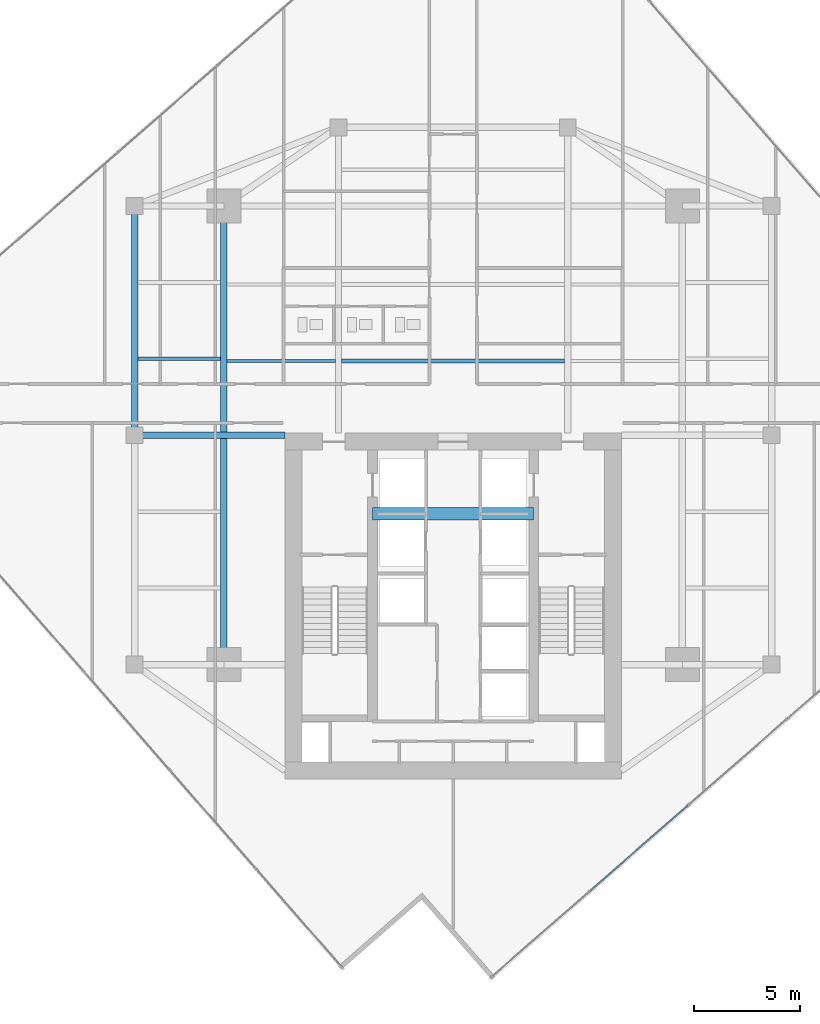
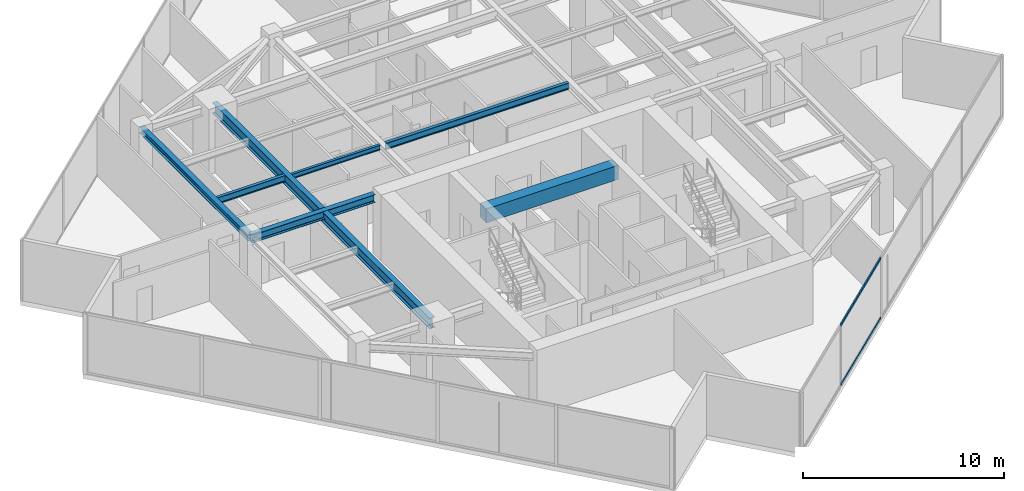
# One storey, part 8 of 24: 7 beams, 2 members, 1 element without a shape of its own.
"""IFC4 building model written with IfcOpenShell, lengths in metres."""

from ifc_helpers import new_model, si_unit, direction, frame, origin, origin_2d, place, context, subcontext, project, spatial, rectangle, hollow_rectangle, i_section, extrude, source, transform, mapped, material, material_profile, profile_set, type_object, type_shapes, element, aggregate, save


model = new_model("IFC4")

# Units and contexts
model_context = context("Model", 3, precision=1e-05, world=origin(), true_north=direction((0.0, 1.0)))
body_context = subcontext(model_context, "Body", "Model", "MODEL_VIEW")
ifc_project = project(units=[si_unit("LENGTHUNIT", "METRE"), si_unit("AREAUNIT", "SQUARE_METRE"), si_unit("VOLUMEUNIT", "CUBIC_METRE"), si_unit("PLANEANGLEUNIT", "RADIAN"), si_unit("MASSUNIT", "GRAM", prefix="KILO")], contexts=[model_context])

# Site, building, storey
site_placement = place(None, origin())
site = spatial("IfcSite", under=ifc_project, at=site_placement, CompositionType="ELEMENT")
building_placement = place(site_placement, origin())
building = spatial("IfcBuilding", under=site, at=building_placement, Name="Krantzveldt Concourse Tower", CompositionType="ELEMENT")
storey_placement = place(building_placement, frame((0.0, 0.0, 254.699951171875)))
storey = spatial("IfcBuildingStorey", under=building, at=storey_placement, Name="L62", CompositionType="ELEMENT", Elevation=254.699951171875)

# Beams
ifc_material_1 = material(Name="Steel S355JR", Category="steel")
ifc_material_profile_1 = material_profile(ifc_material_1, i_section(OverallWidth=0.300048828125, OverallDepth=0.639892578125, WebThickness=0.013427734375, FlangeThickness=0.02587890625, FilletRadius=0.027099609375, at=origin_2d()), Name="Steel S355JR", Category="steel")
ifc_profile_set_1 = profile_set([ifc_material_profile_1], Name="Steel S355JR - HEA 650")
beam_type_1 = type_object("IfcBeamType", Name="BM-B-HEA650", PredefinedType="BEAM", material=ifc_profile_set_1)
shared_shape_1 = source(origin(), body_context, "Body", "SweptSolid", [
    extrude(i_section(OverallWidth=0.300048828125, OverallDepth=0.639892578125, WebThickness=0.013427734375, FlangeThickness=0.02587890625, FilletRadius=0.027099609375, at=origin_2d()), origin(), (0.0, 0.0, 1.0), 21.60009765625),
])
type_shapes(beam_type_1, [shared_shape_1])
beam_1_placement = place(storey_placement, frame((25.199951171875, 15.89990234375, 3.35009765625), z_axis=(0.0, 1.0, 0.0), x_axis=(-1.0, 0.0, 0.0)))
element("IfcBeam", 1, at=beam_1_placement, inside=storey, type_object=beam_type_1, Name="L62 Tower Girder BG-MW", PredefinedType="BEAM", context=body_context, shape_type="MappedRepresentation", body=[
    mapped(shared_shape_1, transform((0.0, 0.0, 0.0), x_axis=(1.0, 0.0, 0.0), y_axis=(0.0, 1.0, 0.0), z_axis=(0.0, 0.0, 1.0), scale=1.0)),
])
ifc_material_profile_2 = material_profile(ifc_material_1, i_section(OverallWidth=0.179931640625, OverallDepth=0.39990234375, WebThickness=0.008544921875, FlangeThickness=0.013427734375, FilletRadius=0.02099609375, at=origin_2d()), Name="Steel S355JR", Category="steel")
ifc_profile_set_2 = profile_set([ifc_material_profile_2], Name="Steel S355JR - IPE 400")
beam_type_2 = type_object("IfcBeamType", Name="BM-J-IPE400", PredefinedType="JOIST", material=ifc_profile_set_2)
shared_shape_2 = source(origin(), body_context, "Body", "SweptSolid", [
    extrude(i_section(OverallWidth=0.179931640625, OverallDepth=0.39990234375, WebThickness=0.008544921875, FlangeThickness=0.013427734375, FilletRadius=0.02099609375, at=origin_2d()), origin(), (0.0, 0.0, 1.0), 10.5),
])
beam_2_placement = place(storey_placement, frame((30.75, 30.199951171875, 3.469970703125), z_axis=(1.0, 0.0, 0.0), x_axis=(0.0, 1.0, 0.0)))
element("IfcBeam", 2, at=beam_2_placement, inside=storey, type_object=beam_type_2, Name="L62 Secondary Floor Joist JN-C1", PredefinedType="JOIST", context=body_context, shape_type="MappedRepresentation", body=[
    mapped(shared_shape_2, transform((0.0, 0.0, 0.0), x_axis=(1.0, 0.0, 0.0), y_axis=(0.0, 1.0, 0.0), z_axis=(0.0, 0.0, 1.0), scale=1.0)),
])
ifc_material_profile_3 = material_profile(ifc_material_1, i_section(OverallWidth=0.300048828125, OverallDepth=0.389892578125, WebThickness=0.010986328125, FlangeThickness=0.01904296875, FilletRadius=0.027099609375, at=origin_2d()), Name="Steel S355JR", Category="steel")
ifc_profile_set_3 = profile_set([ifc_material_profile_3], Name="Steel S355JR - HEA 400")
beam_type_3 = type_object("IfcBeamType", Name="BM-SP-HEA400", PredefinedType="SPANDREL", material=ifc_profile_set_3)
shared_shape_3 = source(origin(), body_context, "Body", "SweptSolid", [
    extrude(i_section(OverallWidth=0.300048828125, OverallDepth=0.389892578125, WebThickness=0.010986328125, FlangeThickness=0.01904296875, FilletRadius=0.027099609375, at=origin_2d()), origin(), (0.0, 0.0, 1.0), 10.800048828125),
])
type_shapes(beam_type_3, [shared_shape_3])
beam_3_placement = place(storey_placement, frame((21.0, 26.699951171875, 3.47509765625), z_axis=(0.0, 1.0, 0.0), x_axis=(-1.0, 0.0, 0.0)))
element("IfcBeam", 3, at=beam_3_placement, inside=storey, type_object=beam_type_3, Name="L62 Tower Girder SP-R02", PredefinedType="SPANDREL", context=body_context, shape_type="MappedRepresentation", body=[
    mapped(shared_shape_3, transform((0.0, 0.0, 0.0), x_axis=(1.0, 0.0, 0.0), y_axis=(0.0, 1.0, 0.0), z_axis=(0.0, 0.0, 1.0), scale=1.0)),
])
ifc_material_profile_4 = material_profile(ifc_material_1, i_section(OverallWidth=0.300048828125, OverallDepth=0.489990234375, WebThickness=0.011962890625, FlangeThickness=0.02294921875, FilletRadius=0.027099609375, at=origin_2d()), Name="Steel S355JR", Category="steel")
ifc_profile_set_4 = profile_set([ifc_material_profile_4], Name="Steel S355JR - HEA 500")
beam_type_4 = type_object("IfcBeamType", Name="BM-B-HEA500", PredefinedType="BEAM", material=ifc_profile_set_4)
shared_shape_4 = source(origin(), body_context, "Body", "SweptSolid", [
    extrude(i_section(OverallWidth=0.300048828125, OverallDepth=0.489990234375, WebThickness=0.011962890625, FlangeThickness=0.02294921875, FilletRadius=0.027099609375, at=origin_2d()), origin(), (0.0, 0.0, 1.0), 7.080078125),
])
type_shapes(beam_type_4, [shared_shape_4])
beam_4_placement = place(storey_placement, frame((21.0, 26.699951171875, 3.425048828125), z_axis=(1.0, 0.0, 0.0), x_axis=(0.0, 1.0, 0.0)))
element("IfcBeam", 4, at=beam_4_placement, inside=storey, type_object=beam_type_4, Name="L62 Tower Girder BG-CW2", PredefinedType="BEAM", context=body_context, shape_type="MappedRepresentation", body=[
    mapped(shared_shape_4, transform((0.0, 0.0, 0.0), x_axis=(1.0, 0.0, 0.0), y_axis=(0.0, 1.0, 0.0), z_axis=(0.0, 0.0, 1.0), scale=1.0)),
])
ifc_material_profile_5 = material_profile(ifc_material_1, i_section(OverallWidth=0.14990234375, OverallDepth=0.300048828125, WebThickness=0.007080078125, FlangeThickness=0.0107421875, FilletRadius=0.014892578125, at=origin_2d()), Name="Steel S355JR", Category="steel")
ifc_profile_set_5 = profile_set([ifc_material_profile_5], Name="Steel S355JR - IPE 300")
beam_type_5 = type_object("IfcBeamType", Name="BM-J-IPE300", PredefinedType="JOIST", material=ifc_profile_set_5)
shared_shape_5 = source(origin(), body_context, "Body", "SweptSolid", [
    extrude(i_section(OverallWidth=0.14990234375, OverallDepth=0.300048828125, WebThickness=0.007080078125, FlangeThickness=0.0107421875, FilletRadius=0.014892578125, at=origin_2d()), origin(), (0.0, 0.0, 1.0), 5.099853515625),
])
type_shapes(beam_type_5, [shared_shape_5])
beam_5_placement = place(storey_placement, frame((25.35009765625, 30.199951171875, 3.52001953125), z_axis=(1.0, 0.0, 0.0), x_axis=(0.0, 1.0, 0.0)))
element("IfcBeam", 5, at=beam_5_placement, inside=storey, type_object=beam_type_5, Name="L62 Secondary Floor Joist JN-W1", PredefinedType="JOIST", context=body_context, shape_type="MappedRepresentation", body=[
    mapped(shared_shape_5, transform((0.0, 0.0, 0.0), x_axis=(1.0, 0.0, 0.0), y_axis=(0.0, 1.0, 0.0), z_axis=(0.0, 0.0, 1.0), scale=1.0)),
])
shared_shape_6 = source(origin(), body_context, "Body", "SweptSolid", [
    extrude(i_section(OverallWidth=0.179931640625, OverallDepth=0.39990234375, WebThickness=0.008544921875, FlangeThickness=0.013427734375, FilletRadius=0.02099609375, at=origin_2d()), origin(), (0.0, 0.0, 1.0), 3.900146484375),
])
type_shapes(beam_type_2, [shared_shape_2, shared_shape_6])
beam_6_placement = place(storey_placement, frame((21.14990234375, 30.300048828125, 3.469970703125), z_axis=(1.0, 0.0, 0.0), x_axis=(0.0, 1.0, 0.0)))
element("IfcBeam", 6, at=beam_6_placement, inside=storey, type_object=beam_type_2, Name="L62 Secondary Floor Joist JW-3", PredefinedType="JOIST", context=body_context, shape_type="MappedRepresentation", body=[
    mapped(shared_shape_6, transform((0.0, 0.0, 0.0), x_axis=(1.0, 0.0, 0.0), y_axis=(0.0, 1.0, 0.0), z_axis=(0.0, 0.0, 1.0), scale=1.0)),
])
ifc_material_2 = material(Name="Concrete C50/60", Category="concrete")
ifc_material_profile_6 = material_profile(ifc_material_2, rectangle(XDim=0.60009765625, YDim=0.85009765625, at=origin_2d()), Name="Concrete C50/60", Category="concrete")
ifc_profile_set_6 = profile_set([ifc_material_profile_6], Name="Concrete C50/60 - RC-CB 600x850")
beam_type_6 = type_object("IfcBeamType", Name="BM-CB-850", PredefinedType="LINTEL", material=ifc_profile_set_6)
shared_shape_7 = source(origin(), body_context, "Body", "SweptSolid", [
    extrude(rectangle(XDim=0.60009765625, YDim=0.85009765625, at=origin_2d()), origin(), (0.0, 0.0, 1.0), 7.580078125),
])
type_shapes(beam_type_6, [shared_shape_7])
beam_7_placement = place(storey_placement, frame((32.2099609375, 23.0, 3.2451171875), z_axis=(1.0, 0.0, 0.0), x_axis=(0.0, 1.0, 0.0)))
element("IfcBeam", 7, at=beam_7_placement, inside=storey, type_object=beam_type_6, Name="CB-L62-01", PredefinedType="LINTEL", context=body_context, shape_type="MappedRepresentation", body=[
    mapped(shared_shape_7, transform((0.0, 0.0, 0.0), x_axis=(1.0, 0.0, 0.0), y_axis=(0.0, 1.0, 0.0), z_axis=(0.0, 0.0, 1.0), scale=1.0)),
])

# Curtain wall, members
ifc_material_3 = material(Name="Anodised aluminium 6063-T6", Category="aluminium")
curtain_wall_type = type_object("IfcCurtainWallType", Name="CW3", PredefinedType="USERDEFINED", material=ifc_material_3)
curtain_wall_placement = place(storey_placement, origin())
curtain_wall = element("IfcCurtainWall", 8, at=curtain_wall_placement, inside=storey, type_object=curtain_wall_type, Name="CW-L62-F07", ObjectType="UNITISED CURTAIN WALL", PredefinedType="USERDEFINED")
ifc_material_profile_7 = material_profile(ifc_material_3, hollow_rectangle(XDim=0.070068359375, YDim=0.139892578125, WallThickness=0.0048828125, at=origin_2d()), Name="Anodised aluminium 6063-T6", Category="aluminium")
ifc_profile_set_7 = profile_set([ifc_material_profile_7], Name="Anodised aluminium 6063-T6 - ALU-TRAN 140x70x5")
member_type = type_object("IfcMemberType", Name="CW-TRN-150", PredefinedType="USERDEFINED", material=ifc_profile_set_7)
shared_shape_8 = source(origin(), body_context, "Body", "SweptSolid", [
    extrude(hollow_rectangle(XDim=0.070068359375, YDim=0.139892578125, WallThickness=0.0048828125, at=origin_2d()), origin(), (0.0, 0.0, 1.0), 6.130126953125),
])
type_shapes(member_type, [shared_shape_8])
member_1_placement = place(storey_placement, frame((42.444580078125, 5.23193359375, 0.03515625), z_axis=(0.753281864593, 0.657697827635, 0.0), x_axis=(-0.657697827635, 0.753281864593, 0.0)))
member_1 = element("IfcMember", 9, at=member_1_placement, type_object=member_type, Name="CW-Z34 transom 2.1", ObjectType="TRANSOM", PredefinedType="USERDEFINED", context=body_context, shape_type="MappedRepresentation", body=[
    mapped(shared_shape_8, transform((0.0, 0.0, 0.0), x_axis=(1.0, 0.0, 0.0), y_axis=(0.0, 1.0, 0.0), z_axis=(0.0, 0.0, 1.0), scale=1.0)),
])
member_2_placement = place(storey_placement, frame((42.444580078125, 5.23193359375, 3.635009765625), z_axis=(0.753281864593, 0.657697827635, 0.0), x_axis=(-0.657697827635, 0.753281864593, 0.0)))
member_2 = element("IfcMember", 10, at=member_2_placement, type_object=member_type, Name="CW-Z34 transom 2.2", ObjectType="TRANSOM", PredefinedType="USERDEFINED", context=body_context, shape_type="MappedRepresentation", body=[
    mapped(shared_shape_8, transform((0.0, 0.0, 0.0), x_axis=(1.0, 0.0, 0.0), y_axis=(0.0, 1.0, 0.0), z_axis=(0.0, 0.0, 1.0), scale=1.0)),
])
aggregate(curtain_wall, [member_1, member_2])

save(model, "model.ifc")
